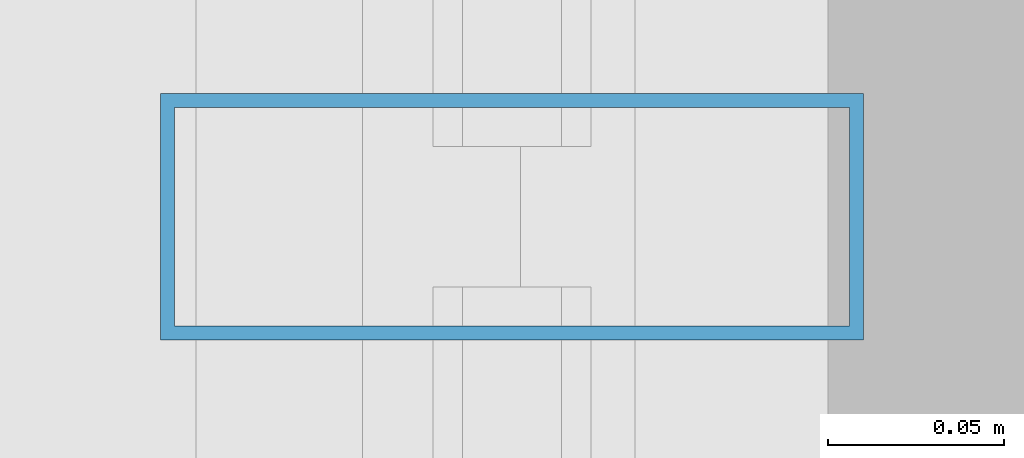
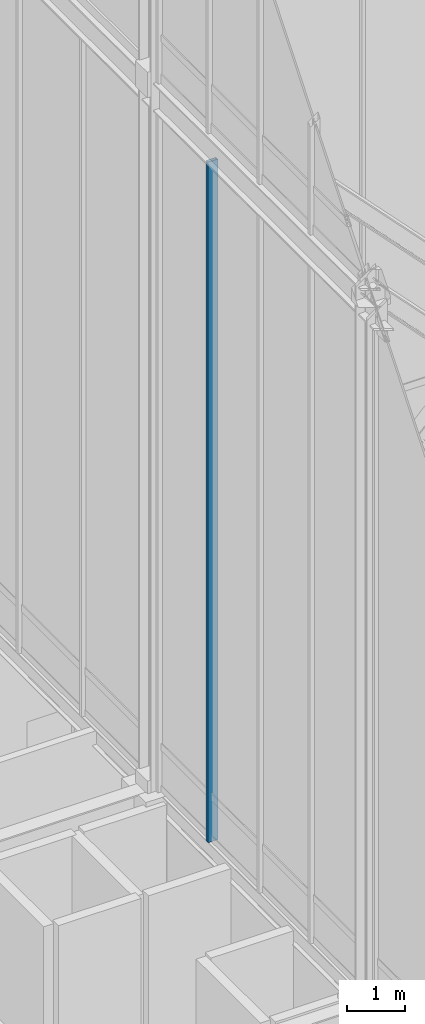
# One storey, part 17 of 49: 1 member, 1 element without a shape of its own.
"""IFC4 building model written with IfcOpenShell, lengths in metres."""

from ifc_helpers import new_model, si_unit, direction, frame, origin, origin_2d, place, context, subcontext, project, spatial, hollow_rectangle, extrude, source, transform, mapped, material, layer, layer_set, material_profile, profile_set, type_object, element, aggregate, save


model = new_model("IFC4")

# Units and contexts
model_context = context("Model", 3, precision=1e-05, world=origin(), true_north=direction((0.0, 1.0)))
body_context = subcontext(model_context, "Body", "Model", "MODEL_VIEW")
ifc_project = project(units=[si_unit("LENGTHUNIT", "METRE"), si_unit("AREAUNIT", "SQUARE_METRE"), si_unit("VOLUMEUNIT", "CUBIC_METRE"), si_unit("PLANEANGLEUNIT", "RADIAN"), si_unit("MASSUNIT", "GRAM", prefix="KILO")], contexts=[model_context])

# Site, building, storey
site_placement = place(None, origin())
site = spatial("IfcSite", under=ifc_project, at=site_placement, CompositionType="ELEMENT")
building_placement = place(site_placement, origin())
building = spatial("IfcBuilding", under=site, at=building_placement, Name="Kaliganga Portal Commons", CompositionType="ELEMENT")
storey_placement = place(building_placement, frame((0.0, 0.0, 298.0)))
storey = spatial("IfcBuildingStorey", under=building, at=storey_placement, Name="L77", CompositionType="ELEMENT", Elevation=298.0)

# Curtain wall, member
ifc_material_1 = material(Name="Anodized Aluminium and Laminated Low-E Glass", Category="aluminium")
ifc_layer = layer(ifc_material_1, 0.25)
ifc_layer_set = layer_set([ifc_layer], Name="Anodized Aluminium and Laminated Low-E Glass")
curtain_wall_type = type_object("IfcCurtainWallType", Name="CW-SYS-06", PredefinedType="NOTDEFINED", material=ifc_layer_set)
curtain_wall_placement = place(storey_placement, origin())
curtain_wall = element("IfcCurtainWall", 1, at=curtain_wall_placement, inside=storey, type_object=curtain_wall_type, Name="CW 06 L77 W", PredefinedType="NOTDEFINED")
ifc_material_2 = material(Name="Dark Bronze Anodized Aluminium", Category="aluminium")
ifc_material_profile = material_profile(ifc_material_2, hollow_rectangle(XDim=0.070068359375, YDim=0.199951171875, WallThickness=0.00390625, at=origin_2d()), Name="ALU MULL 70x200x4")
ifc_profile_set = profile_set([ifc_material_profile], Name="Dark Bronze Anodized Aluminium")
member_type = type_object("IfcMemberType", Name="CW-MUL-220", PredefinedType="MULLION", material=ifc_profile_set)
shared_shape = source(origin(), body_context, "Body", "SweptSolid", [
    extrude(hollow_rectangle(XDim=0.070068359375, YDim=0.199951171875, WallThickness=0.00390625, at=origin_2d()), origin(), (0.0, 0.0, 1.0), 14.39990234375),
])
member_placement = place(storey_placement, frame((14.39990234375, 34.169921875, 6.0), z_axis=(0.0, 0.0, 1.0), x_axis=(0.0, 1.0, 0.0)))
member = element("IfcMember", 2, at=member_placement, type_object=member_type, Name="CW:06:L77:W Mullion 03", PredefinedType="MULLION", context=body_context, shape_type="MappedRepresentation", body=[
    mapped(shared_shape, transform((0.0, 0.0, 0.0), x_axis=(1.0, 0.0, 0.0), y_axis=(0.0, 1.0, 0.0), z_axis=(0.0, 0.0, 1.0), scale=1.0)),
])
aggregate(curtain_wall, [member])

save(model, "model.ifc")
